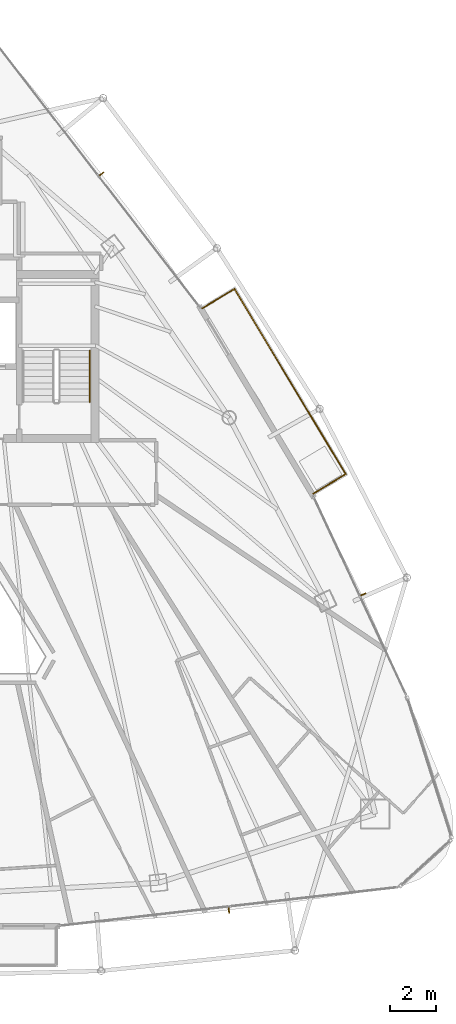
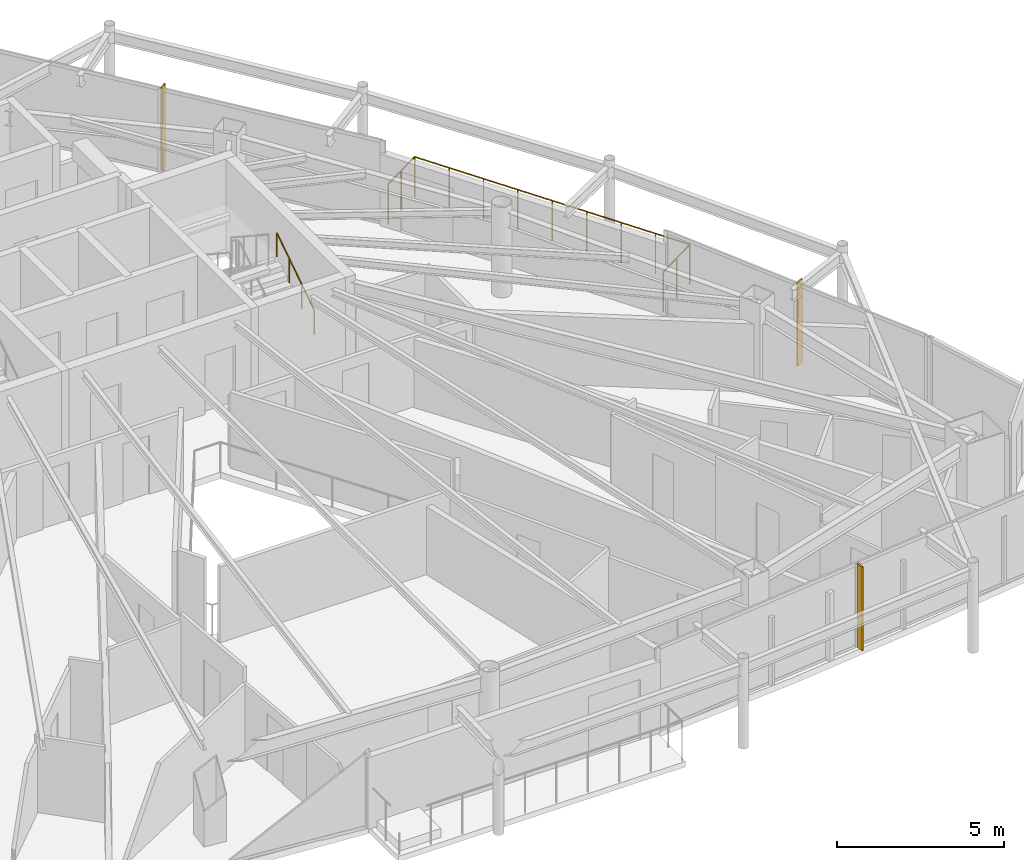
# One storey, part 29 of 29: 3 shading devices, 2 railings.
"""IFC4 building model written with IfcOpenShell, lengths in metres."""

from ifc_helpers import new_model, si_unit, direction, frame, origin, origin_2d, place, context, subcontext, project, spatial, rectangle, circle, extrude, material, layer, layer_set, type_object, element, save


model = new_model("IFC4")

# Units and contexts
model_context = context("Model", 3, precision=1e-05, world=origin(), true_north=direction((0.0, 1.0)))
body_context = subcontext(model_context, "Body", "Model", "MODEL_VIEW")
ifc_project = project(units=[si_unit("LENGTHUNIT", "METRE"), si_unit("AREAUNIT", "SQUARE_METRE"), si_unit("VOLUMEUNIT", "CUBIC_METRE"), si_unit("PLANEANGLEUNIT", "RADIAN"), si_unit("MASSUNIT", "GRAM", prefix="KILO")], contexts=[model_context])

# Site, building, storey
site_placement = place(None, origin())
site = spatial("IfcSite", under=ifc_project, at=site_placement, CompositionType="ELEMENT")
building_placement = place(site_placement, origin())
building = spatial("IfcBuilding", under=site, at=building_placement, Name="Orvanel Arch Residences", CompositionType="ELEMENT")
storey_placement = place(building_placement, frame((0.0, 0.0, 250.25)))
storey = spatial("IfcBuildingStorey", under=building, at=storey_placement, Name="L71", CompositionType="ELEMENT", Elevation=250.25)

# Shading devices
ifc_material_1 = material(Name="Bronze-anodised aluminium AA6063-T6", Category="aluminium")
ifc_layer = layer(ifc_material_1, 0.050048828125)
ifc_layer_set = layer_set([ifc_layer], Name="Bronze-anodised aluminium AA6063-T6")
shading_device_type = type_object("IfcShadingDeviceType", Name="FIN-BRZ-260", PredefinedType="USERDEFINED", material=ifc_layer_set)
for number, where, z_axis, x_axis, name in (
    (1, (45.419921875, 6.1640625, 0.0), (0.0, 0.0, 1.0), (0.113203213768, -0.993571855677, 0.0), "L71 Anodised Bronze Mullion FIN 01"),
    (2, (51.27392578125, 19.93310546875, 0.0), (0.0, 0.0, 1.0), (0.906307787037, 0.422618261741, 0.0), "L71 Anodised Bronze Mullion FIN 01"),
    (3, (39.866943359375, 38.26806640625, 0.0), (0.0, 0.0, 1.0), (0.791223532967, 0.611527040186, 0.0), "L71 Anodised Bronze Mullion FIN 01"),
):
    element("IfcShadingDevice", number, at=place(storey_placement, frame(where, z_axis=z_axis, x_axis=x_axis)), inside=storey, type_object=shading_device_type, Name=name, ObjectType="FIN", PredefinedType="USERDEFINED", context=body_context, shape_type="SweptSolid", body=[
        extrude(rectangle(XDim=0.260009765625, YDim=0.050048828125, at=origin_2d()), origin(), (0.0, 0.0, 1.0), 3.06005859375),
    ])

# Railings
railing_type_1 = type_object("IfcRailingType", Name="RL-BAL-1480", PredefinedType="BALUSTRADE", material=ifc_material_1)
railing_1_placement = place(storey_placement, frame((49.10595703125, 24.330078125, 0.0)))
element("IfcRailing", 4, at=railing_1_placement, inside=storey, type_object=railing_type_1, Name="L71 Balcony Perimeter Guardrail Face 3", PredefinedType="BALUSTRADE", context=body_context, shape_type="SweptSolid", body=[
    extrude(circle(Radius=0.02392578125, at=origin_2d()), frame((0.001220703125, 0.000732421875, 1.4560546875), z_axis=(0.857545439568, 0.514408222208, 0.0), x_axis=(-0.514408222208, 0.857545439568, 0.0)), (0.0, 0.0, 1.0), 1.6376953125),
    extrude(circle(Radius=0.02392578125, at=origin_2d()), frame((1.40625, 0.84521484375, 1.4560546875), z_axis=(-0.514343319019, 0.857584369133, 0.0), x_axis=(-0.857584369133, -0.514343319019, 0.0)), (0.0, 0.0, 1.0), 9.418701171875),
    extrude(circle(Radius=0.02392578125, at=origin_2d()), frame((-3.440185546875, 8.923095703125, 1.4560546875), z_axis=(-0.857387817543, -0.514670895164, 0.0), x_axis=(0.514670895164, -0.857387817543, 0.0)), (0.0, 0.0, 1.0), 1.636962890625),
    extrude(circle(Radius=0.02099609375, at=origin_2d()), origin(), (0.0, 0.0, 1.0), 1.429931640625),
    extrude(circle(Radius=0.02099609375, at=origin_2d()), frame((0.70361328125, 0.421875, 0.0)), (0.0, 0.0, 1.0), 1.429931640625),
    extrude(circle(Radius=0.02099609375, at=origin_2d()), frame((1.406982421875, 0.843994140625, 0.0)), (0.0, 0.0, 1.0), 1.429931640625),
    extrude(circle(Radius=0.02099609375, at=origin_2d()), frame((0.80126953125, 1.85400390625, 0.0)), (0.0, 0.0, 1.0), 1.429931640625),
    extrude(circle(Radius=0.02099609375, at=origin_2d()), frame((0.195556640625, 2.864013671875, 0.0)), (0.0, 0.0, 1.0), 1.429931640625),
    extrude(circle(Radius=0.02099609375, at=origin_2d()), frame((-0.41015625, 3.8740234375, 0.0)), (0.0, 0.0, 1.0), 1.429931640625),
    extrude(circle(Radius=0.02099609375, at=origin_2d()), frame((-1.01611328125, 4.8837890625, 0.0)), (0.0, 0.0, 1.0), 1.429931640625),
    extrude(circle(Radius=0.02099609375, at=origin_2d()), frame((-1.621826171875, 5.893798828125, 0.0)), (0.0, 0.0, 1.0), 1.429931640625),
    extrude(circle(Radius=0.02099609375, at=origin_2d()), frame((-2.2275390625, 6.90380859375, 0.0)), (0.0, 0.0, 1.0), 1.429931640625),
    extrude(circle(Radius=0.02099609375, at=origin_2d()), frame((-2.833251953125, 7.913818359375, 0.0)), (0.0, 0.0, 1.0), 1.429931640625),
    extrude(circle(Radius=0.02099609375, at=origin_2d()), frame((-3.43896484375, 8.923828125, 0.0)), (0.0, 0.0, 1.0), 1.429931640625),
    extrude(circle(Radius=0.02099609375, at=origin_2d()), frame((-4.14208984375, 8.501953125, 0.0)), (0.0, 0.0, 1.0), 1.429931640625),
    extrude(circle(Radius=0.02099609375, at=origin_2d()), frame((-4.844970703125, 8.079833984375, 0.0)), (0.0, 0.0, 1.0), 1.429931640625),
])
ifc_material_2 = material(Name="Structural steel AS/NZS 1163 C350L0 (Grade 350)", Category="steel")
railing_type_2 = type_object("IfcRailingType", Name="RL-STAIR-HAND", PredefinedType="HANDRAIL", material=ifc_material_2)
railing_2_placement = place(storey_placement, frame((39.35009765625, 28.320068359375, 0.183349609375)))
element("IfcRailing", 5, at=railing_2_placement, inside=storey, type_object=railing_type_2, Name="L71 ST-2 stair handrail 1", PredefinedType="HANDRAIL", context=body_context, shape_type="SweptSolid", body=[
    extrude(circle(Radius=0.02392578125, at=origin_2d()), frame((0.0, 0.001220703125, 0.876708984375), z_axis=(0.0, 0.836636935527, 0.547757827979), x_axis=(-1.0, 0.0, 0.0)), (0.0, 0.0, 1.0), 2.67431640625),
    extrude(circle(Radius=0.02099609375, at=origin_2d()), origin(), (0.0, 0.0, 1.0), 0.849853515625),
    extrude(circle(Radius=0.02099609375, at=origin_2d()), frame((0.0, 0.74658203125, 0.48876953125)), (0.0, 0.0, 1.0), 0.849853515625),
    extrude(circle(Radius=0.02099609375, at=origin_2d()), frame((0.0, 1.493408203125, 0.977783203125)), (0.0, 0.0, 1.0), 0.849853515625),
    extrude(circle(Radius=0.02099609375, at=origin_2d()), frame((0.0, 2.239990234375, 1.466552734375)), (0.0, 0.0, 1.0), 0.849853515625),
])

save(model, "model.ifc")
